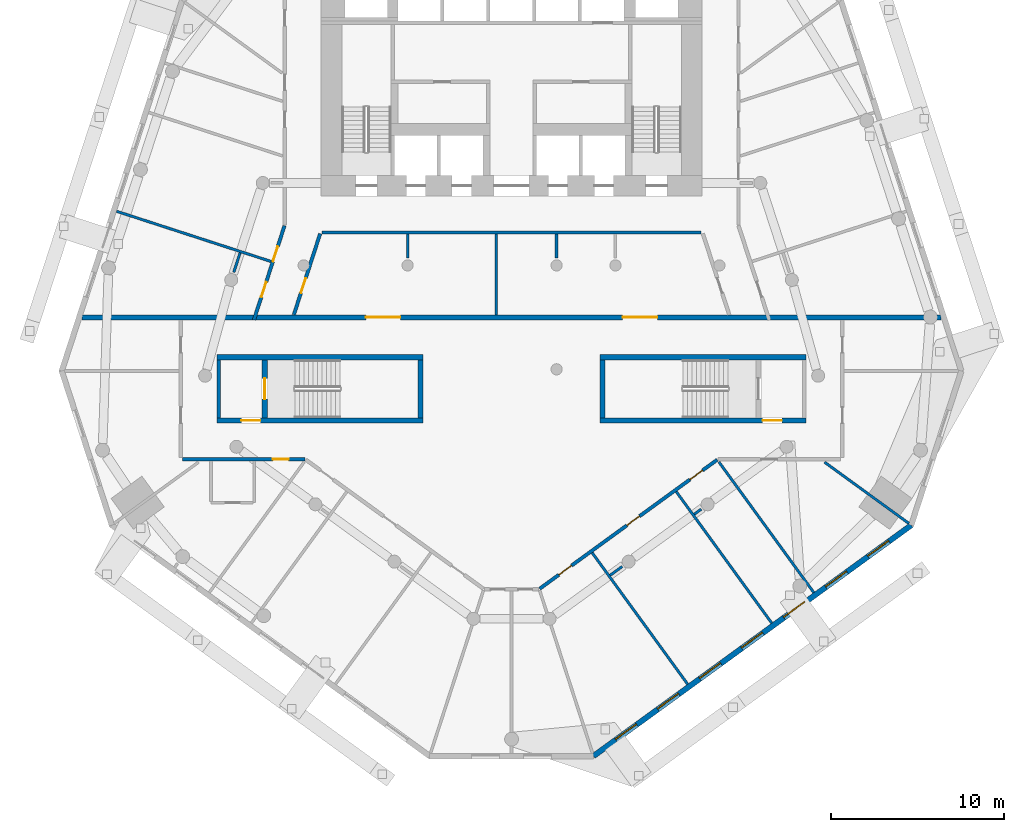
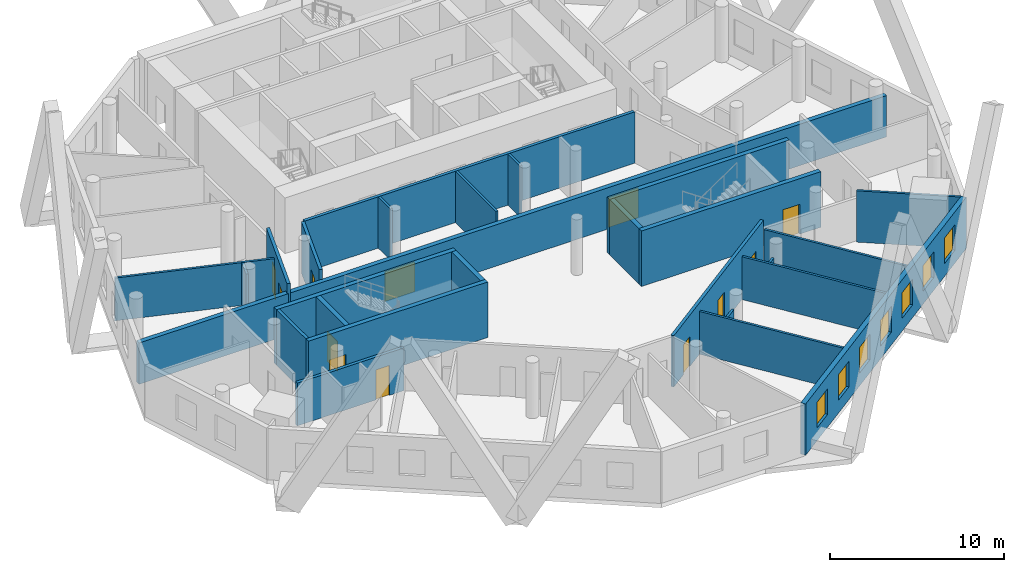
# One storey, part 4 of 10: 26 walls, 12 doors, 7 windows, 19 openings.
"""IFC4 building model written with IfcOpenShell, lengths in metres."""

from ifc_helpers import new_model, si_unit, direction, frame, frame_2d, origin, place, context, subcontext, project, spatial, rectangle, extrude, material, layer, layer_set, type_object, element, fill, save


model = new_model("IFC4")

# Units and contexts
model_context = context("Model", 3, precision=1e-05, world=origin(), true_north=direction((0.0, 1.0)))
body_context = subcontext(model_context, "Body", "Model", "MODEL_VIEW")
ifc_project = project(units=[si_unit("LENGTHUNIT", "METRE"), si_unit("AREAUNIT", "SQUARE_METRE"), si_unit("VOLUMEUNIT", "CUBIC_METRE"), si_unit("PLANEANGLEUNIT", "RADIAN"), si_unit("MASSUNIT", "GRAM", prefix="KILO")], contexts=[model_context])

# Site, building, storey
site_placement = place(None, origin())
site = spatial("IfcSite", under=ifc_project, at=site_placement, CompositionType="ELEMENT")
building_placement = place(site_placement, origin())
building = spatial("IfcBuilding", under=site, at=building_placement, Name="White Candle Pilgrim Tower", CompositionType="ELEMENT")
storey_placement = place(building_placement, frame((0.0, 0.0, 66.300048828125)))
storey = spatial("IfcBuildingStorey", under=building, at=storey_placement, Name="L13", CompositionType="ELEMENT", Elevation=66.300048828125)

# Wall
ifc_material_1 = material(Name="Concrete C70/85", Category="concrete")
ifc_layer_1 = layer(ifc_material_1, 0.199951171875)
ifc_layer_set_1 = layer_set([ifc_layer_1], Name="Core wall 200 mm Concrete C70/85")
wall_type_1 = type_object("IfcWallType", Name="Core wall 200 mm Concrete C70/85", PredefinedType="SHEAR", material=ifc_layer_set_1)
wall_1_placement = place(storey_placement, frame((53.10009765625, 58.199951171875, 0.0), z_axis=(0.0, 0.0, 1.0), x_axis=(0.0, 1.0, 0.0)))
element("IfcWall", 1, at=wall_1_placement, inside=storey, type_object=wall_type_1, Name="WL-L13-C03", PredefinedType="SHEAR", context=body_context, shape_type="SweptSolid", body=[
    extrude(rectangle(XDim=3.35009765625, YDim=0.199951171875, at=frame_2d((1.675048828125, 0.0))), origin(), (0.0, 0.0, 1.0), 3.89990234375),
])

# Wall, openings, doors
ifc_material_2 = material(Name="Gypsum board on steel studs", Category="steel")
ifc_layer_2 = layer(ifc_material_2, 0.199951171875)
ifc_layer_set_2 = layer_set([ifc_layer_2], Name="Corridor wall 200 mm EI 45")
wall_type_2 = type_object("IfcWallType", Name="Corridor wall 200 mm EI 45", PredefinedType="PARTITIONING", material=ifc_layer_set_2)
wall_2_placement = place(storey_placement, frame((55.128173828125, 63.85009765625, 0.0), z_axis=(0.0, 0.0, 1.0), x_axis=(0.309006902183, 0.951059795388, 0.0)))
wall_2 = element("IfcWall", 2, at=wall_2_placement, inside=storey, type_object=wall_type_2, Name="WL-L13-P002", PredefinedType="PARTITIONING", context=body_context, shape_type="SweptSolid", body=[
    extrude(rectangle(XDim=5.7177734375, YDim=0.199951171875, at=frame_2d((2.85888671875, 0.0))), origin(), (0.0, 0.0, 1.0), 3.599853515625),
])
opening_1_placement = place(wall_2_placement, frame((1.3984375, 0.0, 0.0)))
opening_1 = element("IfcOpeningElement", 3, at=opening_1_placement, cuts=wall_2, Name="Opening T04-117", PredefinedType="OPENING", context=body_context, shape_type="SweptSolid", body=[
    extrude(rectangle(XDim=0.89990234375, YDim=2.10009765625, at=frame_2d((0.449951171875, 1.050048828125))), frame((0.0, 0.10986328125, 0.0), z_axis=(0.0, -1.0, 0.0), x_axis=(1.0, 0.0, 0.0)), (0.0, 0.0, 1.0), 0.219970703125),
])
opening_2_placement = place(wall_2_placement, frame((3.552490234375, 0.0, 0.0)))
opening_2 = element("IfcOpeningElement", 4, at=opening_2_placement, cuts=wall_2, Name="Opening T04-118", PredefinedType="OPENING", context=body_context, shape_type="SweptSolid", body=[
    extrude(rectangle(XDim=0.89990234375, YDim=2.10009765625, at=frame_2d((0.449951171875, 1.050048828125))), frame((0.0, 0.10986328125, 0.0), z_axis=(0.0, -1.0, 0.0), x_axis=(1.0, 0.0, 0.0)), (0.0, 0.0, 1.0), 0.219970703125),
])
ifc_material_3 = material(Name="Steel door leaf", Category="steel")
door_type_1 = type_object("IfcDoorType", Name="Fire door 900 x 2100 EI 30", OperationType="NOTDEFINED", PredefinedType="DOOR", material=ifc_material_3)
door_1_placement = place(opening_1_placement, origin())
door_1 = element("IfcDoor", 5, at=door_1_placement, inside=storey, type_object=door_type_1, Name="Door T04-117", OperationType="SINGLE_SWING_LEFT", OverallHeight=2.10009765625, OverallWidth=0.89990234375, PredefinedType="DOOR", context=body_context, shape_type="SweptSolid", body=[
    extrude(rectangle(XDim=0.89990234375, YDim=2.10009765625, at=frame_2d((0.449951171875, 1.050048828125))), frame((0.0, 0.02490234375, 0.0), z_axis=(0.0, -1.0, 0.0), x_axis=(1.0, 0.0, 0.0)), (0.0, 0.0, 1.0), 0.050048828125),
])
fill(opening_1, door_1)
door_2_placement = place(opening_2_placement, origin())
door_2 = element("IfcDoor", 6, at=door_2_placement, inside=storey, type_object=door_type_1, Name="Door T04-118", OperationType="SINGLE_SWING_RIGHT", OverallHeight=2.10009765625, OverallWidth=0.89990234375, PredefinedType="DOOR", context=body_context, shape_type="SweptSolid", body=[
    extrude(rectangle(XDim=0.89990234375, YDim=2.10009765625, at=frame_2d((0.449951171875, 1.050048828125))), frame((0.0, 0.02490234375, 0.0), z_axis=(0.0, -1.0, 0.0), x_axis=(1.0, 0.0, 0.0)), (0.0, 0.0, 1.0), 0.050048828125),
])
fill(opening_2, door_2)

wall_3_placement = place(storey_placement, frame((81.87060546875, 55.781005859375, 0.0), z_axis=(0.0, 0.0, 1.0), x_axis=(-0.80902019439, -0.587780847825, 0.0)))
wall_3 = element("IfcWall", 7, at=wall_3_placement, inside=storey, type_object=wall_type_2, Name="WL-L13-P008", PredefinedType="PARTITIONING", context=body_context, shape_type="SweptSolid", body=[
    extrude(rectangle(XDim=12.667236328125, YDim=0.199951171875, at=frame_2d((6.33349609375, 0.0))), origin(), (0.0, 0.0, 1.0), 3.599853515625),
])
opening_3_placement = place(wall_3_placement, frame((10.396484375, 0.0, 0.0)))
opening_3 = element("IfcOpeningElement", 8, at=opening_3_placement, cuts=wall_3, Name="Opening T04-109", PredefinedType="OPENING", context=body_context, shape_type="SweptSolid", body=[
    extrude(rectangle(XDim=0.89990234375, YDim=2.10009765625, at=frame_2d((0.449951171875, 1.050048828125))), frame((0.0, 0.10986328125, 0.0), z_axis=(0.0, -1.0, 0.0), x_axis=(1.0, 0.0, 0.0)), (0.0, 0.0, 1.0), 0.219970703125),
])
opening_4_placement = place(wall_3_placement, frame((5.543701171875, 0.0, 0.0)))
opening_4 = element("IfcOpeningElement", 9, at=opening_4_placement, cuts=wall_3, Name="Opening T04-110", PredefinedType="OPENING", context=body_context, shape_type="SweptSolid", body=[
    extrude(rectangle(XDim=0.89990234375, YDim=2.10009765625, at=frame_2d((0.449951171875, 1.050048828125))), frame((0.0, 0.10986328125, 0.0), z_axis=(0.0, -1.0, 0.0), x_axis=(1.0, 0.0, 0.0)), (0.0, 0.0, 1.0), 0.219970703125),
])
opening_5_placement = place(wall_3_placement, frame((1.043701171875, 0.0, 0.0)))
opening_5 = element("IfcOpeningElement", 10, at=opening_5_placement, cuts=wall_3, Name="Opening T04-111", PredefinedType="OPENING", context=body_context, shape_type="SweptSolid", body=[
    extrude(rectangle(XDim=0.89990234375, YDim=2.10009765625, at=frame_2d((0.449951171875, 1.050048828125))), frame((0.0, 0.10986328125, 0.0), z_axis=(0.0, -1.0, 0.0), x_axis=(1.0, 0.0, 0.0)), (0.0, 0.0, 1.0), 0.219970703125),
])
door_3_placement = place(opening_3_placement, origin())
door_3 = element("IfcDoor", 11, at=door_3_placement, inside=storey, type_object=door_type_1, Name="Door T04-109", OperationType="SINGLE_SWING_LEFT", OverallHeight=2.10009765625, OverallWidth=0.89990234375, PredefinedType="DOOR", context=body_context, shape_type="SweptSolid", body=[
    extrude(rectangle(XDim=0.89990234375, YDim=2.10009765625, at=frame_2d((0.449951171875, 1.050048828125))), frame((0.0, 0.02490234375, 0.0), z_axis=(0.0, -1.0, 0.0), x_axis=(1.0, 0.0, 0.0)), (0.0, 0.0, 1.0), 0.050048828125),
])
fill(opening_3, door_3)
door_4_placement = place(opening_4_placement, origin())
door_4 = element("IfcDoor", 12, at=door_4_placement, inside=storey, type_object=door_type_1, Name="Door T04-110", OperationType="SINGLE_SWING_RIGHT", OverallHeight=2.10009765625, OverallWidth=0.89990234375, PredefinedType="DOOR", context=body_context, shape_type="SweptSolid", body=[
    extrude(rectangle(XDim=0.89990234375, YDim=2.10009765625, at=frame_2d((0.449951171875, 1.050048828125))), frame((0.0, 0.02490234375, 0.0), z_axis=(0.0, -1.0, 0.0), x_axis=(1.0, 0.0, 0.0)), (0.0, 0.0, 1.0), 0.050048828125),
])
fill(opening_4, door_4)
door_5_placement = place(opening_5_placement, origin())
door_5 = element("IfcDoor", 13, at=door_5_placement, inside=storey, type_object=door_type_1, Name="Door T04-111", OperationType="SINGLE_SWING_LEFT", OverallHeight=2.10009765625, OverallWidth=0.89990234375, PredefinedType="DOOR", context=body_context, shape_type="SweptSolid", body=[
    extrude(rectangle(XDim=0.89990234375, YDim=2.10009765625, at=frame_2d((0.449951171875, 1.050048828125))), frame((0.0, 0.02490234375, 0.0), z_axis=(0.0, -1.0, 0.0), x_axis=(1.0, 0.0, 0.0)), (0.0, 0.0, 1.0), 0.050048828125),
])
fill(opening_5, door_5)

# Wall, opening, door
wall_4_placement = place(storey_placement, frame((58.07080078125, 55.800048828125, 0.0), z_axis=(0.0, 0.0, 1.0), x_axis=(-1.0, 0.0, 0.0)))
wall_4 = element("IfcWall", 14, at=wall_4_placement, inside=storey, type_object=wall_type_2, Name="WL-L13-P011", PredefinedType="PARTITIONING", context=body_context, shape_type="SweptSolid", body=[
    extrude(rectangle(XDim=7.07080078125, YDim=0.199951171875, at=frame_2d((3.535400390625, 0.0))), origin(), (0.0, 0.0, 1.0), 3.0),
])
opening_6_placement = place(wall_4_placement, frame((0.9443359375, 0.0, 0.0)))
opening_6 = element("IfcOpeningElement", 15, at=opening_6_placement, cuts=wall_4, Name="Opening T04-103", PredefinedType="OPENING", context=body_context, shape_type="SweptSolid", body=[
    extrude(rectangle(XDim=0.89990234375, YDim=2.10009765625, at=frame_2d((0.449951171875, 1.050048828125))), frame((0.0, 0.10986328125, 0.0), z_axis=(0.0, -1.0, 0.0), x_axis=(1.0, 0.0, 0.0)), (0.0, 0.0, 1.0), 0.219970703125),
])
door_6_placement = place(opening_6_placement, origin())
door_6 = element("IfcDoor", 16, at=door_6_placement, inside=storey, type_object=door_type_1, Name="Door T04-103", OperationType="SINGLE_SWING_LEFT", OverallHeight=2.10009765625, OverallWidth=0.89990234375, PredefinedType="DOOR", context=body_context, shape_type="SweptSolid", body=[
    extrude(rectangle(XDim=0.89990234375, YDim=2.10009765625, at=frame_2d((0.449951171875, 1.050048828125))), frame((0.0, 0.02490234375, 0.0), z_axis=(0.0, -1.0, 0.0), x_axis=(1.0, 0.0, 0.0)), (0.0, 0.0, 1.0), 0.050048828125),
])
fill(opening_6, door_6)

# Wall
wall_5_placement = place(storey_placement, frame((80.9501953125, 68.89990234375, 0.0), z_axis=(0.0, 0.0, 1.0), x_axis=(-1.0, 0.0, 0.0)))
element("IfcWall", 17, at=wall_5_placement, inside=storey, type_object=wall_type_2, Name="WL-L13-P013", PredefinedType="PARTITIONING", context=body_context, shape_type="SweptSolid", body=[
    extrude(rectangle(XDim=21.900390625, YDim=0.199951171875, at=frame_2d((10.9501953125, 0.0))), origin(), (0.0, 0.0, 1.0), 3.599853515625),
])

# Wall, opening, door
wall_6_placement = place(storey_placement, frame((58.95458984375, 68.830810546875, 0.0), z_axis=(0.0, 0.0, 1.0), x_axis=(-0.309031112369, -0.951051928965, 0.0)))
wall_6 = element("IfcWall", 18, at=wall_6_placement, inside=storey, type_object=wall_type_2, Name="WL-L13-P014", PredefinedType="PARTITIONING", context=body_context, shape_type="SweptSolid", body=[
    extrude(rectangle(XDim=4.921875, YDim=0.199951171875, at=frame_2d((2.4609375, 0.0))), origin(), (0.0, 0.0, 1.0), 3.599853515625),
])
opening_7_placement = place(wall_6_placement, frame((2.6982421875, 0.0, 0.0)))
opening_7 = element("IfcOpeningElement", 19, at=opening_7_placement, cuts=wall_6, Name="Opening T04-130", PredefinedType="OPENING", context=body_context, shape_type="SweptSolid", body=[
    extrude(rectangle(XDim=0.89990234375, YDim=2.10009765625, at=frame_2d((0.449951171875, 1.050048828125))), frame((0.0, 0.10986328125, 0.0), z_axis=(0.0, -1.0, 0.0), x_axis=(1.0, 0.0, 0.0)), (0.0, 0.0, 1.0), 0.219970703125),
])
door_7_placement = place(opening_7_placement, origin())
door_7 = element("IfcDoor", 20, at=door_7_placement, inside=storey, type_object=door_type_1, Name="Door T04-130", OperationType="SINGLE_SWING_RIGHT", OverallHeight=2.10009765625, OverallWidth=0.89990234375, PredefinedType="DOOR", context=body_context, shape_type="SweptSolid", body=[
    extrude(rectangle(XDim=0.89990234375, YDim=2.10009765625, at=frame_2d((0.449951171875, 1.050048828125))), frame((0.0, 0.02490234375, 0.0), z_axis=(0.0, -1.0, 0.0), x_axis=(1.0, 0.0, 0.0)), (0.0, 0.0, 1.0), 0.050048828125),
])
fill(opening_7, door_7)

# Wall, openings, windows
ifc_material_4 = material(Name="Precast concrete C40/50", Category="concrete")
ifc_layer_3 = layer(ifc_material_4, 0.320068359375)
ifc_layer_set_3 = layer_set([ifc_layer_3], Name="Facade wall EW1 precast concrete C40/50 pier wall with timber-lined reveals")
wall_type_3 = type_object("IfcWallType", Name="Facade wall EW1 precast concrete C40/50 pier wall with timber-lined reveals", PredefinedType="SOLIDWALL", material=ifc_layer_set_3)
wall_7_placement = place(storey_placement, frame((74.728515625, 38.67626953125, 0.0), z_axis=(0.0, 0.0, 1.0), x_axis=(0.809014870626, 0.58778817537, 0.0)))
wall_7 = element("IfcWall", 21, at=wall_7_placement, inside=storey, type_object=wall_type_3, Name="Facade wall L13 SE", PredefinedType="SOLIDWALL", context=body_context, shape_type="SweptSolid", body=[
    extrude(rectangle(XDim=22.67626953125, YDim=0.320068359375, at=frame_2d((11.338134765625, 0.0))), origin(), (0.0, 0.0, 1.0), 3.599853515625),
])
opening_8_placement = place(wall_7_placement, frame((1.588134765625, 0.0, 0.89990234375)))
opening_8 = element("IfcOpeningElement", 22, at=opening_8_placement, cuts=wall_7, Name="Opening W1", PredefinedType="OPENING", context=body_context, shape_type="SweptSolid", body=[
    extrude(rectangle(XDim=1.5, YDim=1.800048828125, at=frame_2d((0.75, 0.89990234375))), frame((0.0, 0.169921875, 0.0), z_axis=(0.0, -1.0, 0.0), x_axis=(1.0, 0.0, 0.0)), (0.0, 0.0, 1.0), 0.340087890625),
])
opening_9_placement = place(wall_7_placement, frame((4.588134765625, 0.0, 0.89990234375)))
opening_9 = element("IfcOpeningElement", 23, at=opening_9_placement, cuts=wall_7, Name="Opening W1", PredefinedType="OPENING", context=body_context, shape_type="SweptSolid", body=[
    extrude(rectangle(XDim=1.5, YDim=1.800048828125, at=frame_2d((0.75, 0.89990234375))), frame((0.0, 0.169921875, 0.0), z_axis=(0.0, -1.0, 0.0), x_axis=(1.0, 0.0, 0.0)), (0.0, 0.0, 1.0), 0.340087890625),
])
opening_10_placement = place(wall_7_placement, frame((7.588134765625, 0.0, 0.89990234375)))
opening_10 = element("IfcOpeningElement", 24, at=opening_10_placement, cuts=wall_7, Name="Opening W1", PredefinedType="OPENING", context=body_context, shape_type="SweptSolid", body=[
    extrude(rectangle(XDim=1.5, YDim=1.800048828125, at=frame_2d((0.75, 0.89990234375))), frame((0.0, 0.169921875, 0.0), z_axis=(0.0, -1.0, 0.0), x_axis=(1.0, 0.0, 0.0)), (0.0, 0.0, 1.0), 0.340087890625),
])
opening_11_placement = place(wall_7_placement, frame((10.588134765625, 0.0, 0.89990234375)))
opening_11 = element("IfcOpeningElement", 25, at=opening_11_placement, cuts=wall_7, Name="Opening W1", PredefinedType="OPENING", context=body_context, shape_type="SweptSolid", body=[
    extrude(rectangle(XDim=1.5, YDim=1.800048828125, at=frame_2d((0.75, 0.89990234375))), frame((0.0, 0.169921875, 0.0), z_axis=(0.0, -1.0, 0.0), x_axis=(1.0, 0.0, 0.0)), (0.0, 0.0, 1.0), 0.340087890625),
])
opening_12_placement = place(wall_7_placement, frame((13.588134765625, 0.0, 0.89990234375)))
opening_12 = element("IfcOpeningElement", 26, at=opening_12_placement, cuts=wall_7, Name="Opening W1", PredefinedType="OPENING", context=body_context, shape_type="SweptSolid", body=[
    extrude(rectangle(XDim=1.5, YDim=1.800048828125, at=frame_2d((0.75, 0.89990234375))), frame((0.0, 0.169921875, 0.0), z_axis=(0.0, -1.0, 0.0), x_axis=(1.0, 0.0, 0.0)), (0.0, 0.0, 1.0), 0.340087890625),
])
opening_13_placement = place(wall_7_placement, frame((16.588134765625, 0.0, 0.89990234375)))
opening_13 = element("IfcOpeningElement", 27, at=opening_13_placement, cuts=wall_7, Name="Opening W1", PredefinedType="OPENING", context=body_context, shape_type="SweptSolid", body=[
    extrude(rectangle(XDim=1.5, YDim=1.800048828125, at=frame_2d((0.75, 0.89990234375))), frame((0.0, 0.169921875, 0.0), z_axis=(0.0, -1.0, 0.0), x_axis=(1.0, 0.0, 0.0)), (0.0, 0.0, 1.0), 0.340087890625),
])
opening_14_placement = place(wall_7_placement, frame((19.588134765625, 0.0, 0.89990234375)))
opening_14 = element("IfcOpeningElement", 28, at=opening_14_placement, cuts=wall_7, Name="Opening W1", PredefinedType="OPENING", context=body_context, shape_type="SweptSolid", body=[
    extrude(rectangle(XDim=1.5, YDim=1.800048828125, at=frame_2d((0.75, 0.89990234375))), frame((0.0, 0.169921875, 0.0), z_axis=(0.0, -1.0, 0.0), x_axis=(1.0, 0.0, 0.0)), (0.0, 0.0, 1.0), 0.340087890625),
])
ifc_material_5 = material(Name="Timber frame with triple glazing", Category="wood")
window_type = type_object("IfcWindowType", Name="Window W1 1500x1800 timber frame triple glazing", PartitioningType="SINGLE_PANEL", PredefinedType="WINDOW", material=ifc_material_5)
window_1_placement = place(opening_8_placement, origin())
window_1 = element("IfcWindow", 29, at=window_1_placement, inside=storey, type_object=window_type, Name="Window W1 L13 SE 1", OverallHeight=1.800048828125, OverallWidth=1.5, PartitioningType="SINGLE_PANEL", PredefinedType="WINDOW", context=body_context, shape_type="SweptSolid", body=[
    extrude(rectangle(XDim=1.5, YDim=1.800048828125, at=frame_2d((0.75, 0.89990234375))), frame((0.0, 0.070068359375, 0.0), z_axis=(0.0, -1.0, 0.0), x_axis=(1.0, 0.0, 0.0)), (0.0, 0.0, 1.0), 0.06005859375),
])
fill(opening_8, window_1)
window_2_placement = place(opening_9_placement, origin())
window_2 = element("IfcWindow", 30, at=window_2_placement, inside=storey, type_object=window_type, Name="Window W1 L13 SE 2", OverallHeight=1.800048828125, OverallWidth=1.5, PartitioningType="SINGLE_PANEL", PredefinedType="WINDOW", context=body_context, shape_type="SweptSolid", body=[
    extrude(rectangle(XDim=1.5, YDim=1.800048828125, at=frame_2d((0.75, 0.89990234375))), frame((0.0, 0.070068359375, 0.0), z_axis=(0.0, -1.0, 0.0), x_axis=(1.0, 0.0, 0.0)), (0.0, 0.0, 1.0), 0.06005859375),
])
fill(opening_9, window_2)
window_3_placement = place(opening_10_placement, origin())
window_3 = element("IfcWindow", 31, at=window_3_placement, inside=storey, type_object=window_type, Name="Window W1 L13 SE 3", OverallHeight=1.800048828125, OverallWidth=1.5, PartitioningType="SINGLE_PANEL", PredefinedType="WINDOW", context=body_context, shape_type="SweptSolid", body=[
    extrude(rectangle(XDim=1.5, YDim=1.800048828125, at=frame_2d((0.75, 0.89990234375))), frame((0.0, 0.070068359375, 0.0), z_axis=(0.0, -1.0, 0.0), x_axis=(1.0, 0.0, 0.0)), (0.0, 0.0, 1.0), 0.06005859375),
])
fill(opening_10, window_3)
window_4_placement = place(opening_11_placement, origin())
window_4 = element("IfcWindow", 32, at=window_4_placement, inside=storey, type_object=window_type, Name="Window W1 L13 SE 4", OverallHeight=1.800048828125, OverallWidth=1.5, PartitioningType="SINGLE_PANEL", PredefinedType="WINDOW", context=body_context, shape_type="SweptSolid", body=[
    extrude(rectangle(XDim=1.5, YDim=1.800048828125, at=frame_2d((0.75, 0.89990234375))), frame((0.0, 0.070068359375, 0.0), z_axis=(0.0, -1.0, 0.0), x_axis=(1.0, 0.0, 0.0)), (0.0, 0.0, 1.0), 0.06005859375),
])
fill(opening_11, window_4)
window_5_placement = place(opening_12_placement, origin())
window_5 = element("IfcWindow", 33, at=window_5_placement, inside=storey, type_object=window_type, Name="Window W1 L13 SE 5", OverallHeight=1.800048828125, OverallWidth=1.5, PartitioningType="SINGLE_PANEL", PredefinedType="WINDOW", context=body_context, shape_type="SweptSolid", body=[
    extrude(rectangle(XDim=1.5, YDim=1.800048828125, at=frame_2d((0.75, 0.89990234375))), frame((0.0, 0.070068359375, 0.0), z_axis=(0.0, -1.0, 0.0), x_axis=(1.0, 0.0, 0.0)), (0.0, 0.0, 1.0), 0.06005859375),
])
fill(opening_12, window_5)
window_6_placement = place(opening_13_placement, origin())
window_6 = element("IfcWindow", 34, at=window_6_placement, inside=storey, type_object=window_type, Name="Window W1 L13 SE 6", OverallHeight=1.800048828125, OverallWidth=1.5, PartitioningType="SINGLE_PANEL", PredefinedType="WINDOW", context=body_context, shape_type="SweptSolid", body=[
    extrude(rectangle(XDim=1.5, YDim=1.800048828125, at=frame_2d((0.75, 0.89990234375))), frame((0.0, 0.070068359375, 0.0), z_axis=(0.0, -1.0, 0.0), x_axis=(1.0, 0.0, 0.0)), (0.0, 0.0, 1.0), 0.06005859375),
])
fill(opening_13, window_6)
window_7_placement = place(opening_14_placement, origin())
window_7 = element("IfcWindow", 35, at=window_7_placement, inside=storey, type_object=window_type, Name="Window W1 L13 SE 7", OverallHeight=1.800048828125, OverallWidth=1.5, PartitioningType="SINGLE_PANEL", PredefinedType="WINDOW", context=body_context, shape_type="SweptSolid", body=[
    extrude(rectangle(XDim=1.5, YDim=1.800048828125, at=frame_2d((0.75, 0.89990234375))), frame((0.0, 0.070068359375, 0.0), z_axis=(0.0, -1.0, 0.0), x_axis=(1.0, 0.0, 0.0)), (0.0, 0.0, 1.0), 0.06005859375),
])
fill(opening_14, window_7)

# Wall, openings, doors
ifc_material_6 = material(Name="Aerated concrete block", Category="concrete")
ifc_layer_4 = layer(ifc_material_6, 0.300048828125)
ifc_layer_set_4 = layer_set([ifc_layer_4], Name="Fire wall 300 mm REI 240")
wall_type_4 = type_object("IfcWallType", Name="Fire wall 300 mm REI 240", PredefinedType="PARTITIONING", material=ifc_layer_set_4)
wall_8_placement = place(storey_placement, frame((45.208984375, 64.0, 0.0), z_axis=(0.0, 0.0, 1.0), x_axis=(1.0, 0.0, 0.0)))
wall_8 = element("IfcWall", 36, at=wall_8_placement, inside=storey, type_object=wall_type_4, Name="WL-L13-P001", PredefinedType="PARTITIONING", context=body_context, shape_type="SweptSolid", body=[
    extrude(rectangle(XDim=49.58203125, YDim=0.300048828125, at=frame_2d((24.791015625, 0.0))), origin(), (0.0, 0.0, 1.0), 2.89990234375),
])
opening_15_placement = place(wall_8_placement, frame((16.37939453125, 0.0, 0.0)))
opening_15 = element("IfcOpeningElement", 37, at=opening_15_placement, cuts=wall_8, Name="Opening T04-114", PredefinedType="OPENING", context=body_context, shape_type="SweptSolid", body=[
    extrude(rectangle(XDim=2.0, YDim=2.10009765625, at=frame_2d((1.0, 1.050048828125))), frame((0.0, 0.159912109375, 0.0), z_axis=(0.0, -1.0, 0.0), x_axis=(1.0, 0.0, 0.0)), (0.0, 0.0, 1.0), 0.320068359375),
])
opening_16_placement = place(wall_8_placement, frame((31.20263671875, 0.0, 0.0)))
opening_16 = element("IfcOpeningElement", 38, at=opening_16_placement, cuts=wall_8, Name="Opening T04-115", PredefinedType="OPENING", context=body_context, shape_type="SweptSolid", body=[
    extrude(rectangle(XDim=2.0, YDim=2.10009765625, at=frame_2d((1.0, 1.050048828125))), frame((0.0, 0.159912109375, 0.0), z_axis=(0.0, -1.0, 0.0), x_axis=(1.0, 0.0, 0.0)), (0.0, 0.0, 1.0), 0.320068359375),
])
door_type_2 = type_object("IfcDoorType", Name="Fire door 2000 x 2100 EI 60", OperationType="NOTDEFINED", PredefinedType="DOOR", material=ifc_material_3)
door_8_placement = place(opening_15_placement, origin())
door_8 = element("IfcDoor", 39, at=door_8_placement, inside=storey, type_object=door_type_2, Name="Door T04-114", OperationType="DOUBLE_DOOR_SINGLE_SWING", OverallHeight=2.10009765625, OverallWidth=2.0, PredefinedType="DOOR", context=body_context, shape_type="SweptSolid", body=[
    extrude(rectangle(XDim=2.0, YDim=2.10009765625, at=frame_2d((1.0, 1.050048828125))), frame((0.0, 0.02490234375, 0.0), z_axis=(0.0, -1.0, 0.0), x_axis=(1.0, 0.0, 0.0)), (0.0, 0.0, 1.0), 0.050048828125),
])
fill(opening_15, door_8)
door_9_placement = place(opening_16_placement, origin())
door_9 = element("IfcDoor", 40, at=door_9_placement, inside=storey, type_object=door_type_2, Name="Door T04-115", OperationType="DOUBLE_DOOR_SINGLE_SWING", OverallHeight=2.10009765625, OverallWidth=2.0, PredefinedType="DOOR", context=body_context, shape_type="SweptSolid", body=[
    extrude(rectangle(XDim=2.0, YDim=2.10009765625, at=frame_2d((1.0, 1.050048828125))), frame((0.0, 0.02490234375, 0.0), z_axis=(0.0, -1.0, 0.0), x_axis=(1.0, 0.0, 0.0)), (0.0, 0.0, 1.0), 0.050048828125),
])
fill(opening_16, door_9)

# Walls
ifc_layer_5 = layer(ifc_material_2, 0.14990234375)
ifc_layer_set_5 = layer_set([ifc_layer_5], Name="Partition 150 mm EI 60")
wall_type_5 = type_object("IfcWallType", Name="Partition 150 mm EI 60", PredefinedType="PARTITIONING", material=ifc_layer_set_5)
wall_9_placement = place(storey_placement, frame((92.93798828125, 52.10400390625, 0.0), z_axis=(0.0, 0.0, 1.0), x_axis=(-0.809025596287, 0.587773412594, 0.0)))
element("IfcWall", 41, at=wall_9_placement, inside=storey, type_object=wall_type_5, Name="WL-L13-P021", PredefinedType="PARTITIONING", context=body_context, shape_type="SweptSolid", body=[
    extrude(rectangle(XDim=6.014892578125, YDim=0.14990234375, at=frame_2d((3.00732421875, 0.0))), origin(), (0.0, 0.0, 1.0), 3.599853515625),
])
for number, where, z_axis, x_axis, name in (
    (42, (47.198974609375, 70.124267578125, 0.0), (0.0, 0.0, 1.0), (0.951060843481, -0.309003676349, 0.0), "WL-L13-P026"),
    (43, (80.166748046875, 42.8251953125, 0.0), (0.0, 0.0, 1.0), (-0.587795561305, 0.809009504339, 0.0), "WL-L13-P034"),
    (44, (85.020751953125, 46.351806640625, 0.0), (0.0, 0.0, 1.0), (-0.587795561305, 0.809009504339, 0.0), "WL-L13-P035"),
):
    element("IfcWall", number, at=place(storey_placement, frame(where, z_axis=z_axis, x_axis=x_axis)), inside=storey, type_object=wall_type_5, Name=name, PredefinedType="PARTITIONING", context=body_context, shape_type="SweptSolid", body=[
        extrude(rectangle(XDim=9.3798828125, YDim=0.14990234375, at=frame_2d((4.68994140625, 0.0))), origin(), (0.0, 0.0, 1.0), 3.0),
    ])
wall_10_placement = place(storey_placement, frame((87.44775390625, 48.114990234375, 0.0), z_axis=(0.0, 0.0, 1.0), x_axis=(-0.587777613272, 0.809022544393, 0.0)))
element("IfcWall", 45, at=wall_10_placement, inside=storey, type_object=wall_type_5, Name="WL-L13-P036", PredefinedType="PARTITIONING", context=body_context, shape_type="SweptSolid", body=[
    extrude(rectangle(XDim=9.321044921875, YDim=0.14990234375, at=frame_2d((4.66064453125, 0.0))), origin(), (0.0, 0.0, 1.0), 3.0),
])
wall_11_placement = place(storey_placement, frame((69.12158203125, 64.14990234375, 0.0), z_axis=(0.0, 0.0, 1.0), x_axis=(0.0, 1.0, 0.0)))
element("IfcWall", 46, at=wall_11_placement, inside=storey, type_object=wall_type_5, Name="WL-L13-P041", PredefinedType="PARTITIONING", context=body_context, shape_type="SweptSolid", body=[
    extrude(rectangle(XDim=4.650146484375, YDim=0.14990234375, at=frame_2d((2.3251953125, 0.0))), origin(), (0.0, 0.0, 1.0), 3.599853515625),
])
wall_12_placement = place(storey_placement, frame((76.389404296875, 49.619140625, 0.0), z_axis=(0.0, 0.0, 1.0), x_axis=(-0.809041900019, -0.587750971087, 0.0)))
element("IfcWall", 47, at=wall_12_placement, inside=storey, type_object=wall_type_5, Name="WL-L13-P045", PredefinedType="PARTITIONING", context=body_context, shape_type="SweptSolid", body=[
    extrude(rectangle(XDim=0.86279296875, YDim=0.14990234375, at=frame_2d((0.431396484375, 0.0))), origin(), (0.0, 0.0, 1.0), 3.0),
])
wall_13_placement = place(storey_placement, frame((80.949462890625, 52.92919921875, 0.0), z_axis=(0.0, 0.0, 1.0), x_axis=(-0.809096851656, -0.587675322471, 0.0)))
element("IfcWall", 48, at=wall_13_placement, inside=storey, type_object=wall_type_5, Name="WL-L13-P046", PredefinedType="PARTITIONING", context=body_context, shape_type="SweptSolid", body=[
    extrude(rectangle(XDim=0.497314453125, YDim=0.14990234375, at=frame_2d((0.24853515625, 0.0))), origin(), (0.0, 0.0, 1.0), 3.0),
])
wall_14_placement = place(storey_placement, frame((53.967041015625, 66.60107421875, 0.0), z_axis=(0.0, 0.0, 1.0), x_axis=(0.308983531668, 0.951067388337, 0.0)))
element("IfcWall", 49, at=wall_14_placement, inside=storey, type_object=wall_type_5, Name="WL-L13-P050", PredefinedType="PARTITIONING", context=body_context, shape_type="SweptSolid", body=[
    extrude(rectangle(XDim=1.184326171875, YDim=0.14990234375, at=frame_2d((0.59228515625, 0.0))), origin(), (0.0, 0.0, 1.0), 3.0),
])
for number, where, z_axis, x_axis, name in (
    (50, (63.997802734375, 67.4150390625, 0.0), (0.0, 0.0, 1.0), (0.0, 1.0, 0.0), "WL-L13-P051"),
    (51, (72.59765625, 67.4150390625, 0.0), (0.0, 0.0, 1.0), (0.0, 1.0, 0.0), "WL-L13-P052"),
):
    element("IfcWall", number, at=place(storey_placement, frame(where, z_axis=z_axis, x_axis=x_axis)), inside=storey, type_object=wall_type_5, Name=name, PredefinedType="PARTITIONING", context=body_context, shape_type="SweptSolid", body=[
        extrude(rectangle(XDim=1.385009765625, YDim=0.14990234375, at=frame_2d((0.6923828125, 0.0))), origin(), (0.0, 0.0, 1.0), 3.599853515625),
    ])

# Wall, opening, door
ifc_layer_6 = layer(ifc_material_1, 0.300048828125)
ifc_layer_set_6 = layer_set([ifc_layer_6], Name="Stair shaft wall 300 mm Concrete C70/85")
wall_type_6 = type_object("IfcWallType", Name="Stair shaft wall 300 mm Concrete C70/85", PredefinedType="SHEAR", material=ifc_layer_set_6)
wall_15_placement = place(storey_placement, frame((53.0, 58.050048828125, 0.0), z_axis=(0.0, 0.0, 1.0), x_axis=(1.0, 0.0, 0.0)))
wall_15 = element("IfcWall", 52, at=wall_15_placement, inside=storey, type_object=wall_type_6, Name="WL-L13-C01", PredefinedType="SHEAR", context=body_context, shape_type="SweptSolid", body=[
    extrude(rectangle(XDim=11.89990234375, YDim=0.300048828125, at=frame_2d((5.949951171875, 0.0))), origin(), (0.0, 0.0, 1.0), 3.89990234375),
])
opening_17_placement = place(wall_15_placement, frame((1.39990234375, 0.0, 0.0)))
opening_17 = element("IfcOpeningElement", 53, at=opening_17_placement, cuts=wall_15, Name="Opening T04-007", PredefinedType="OPENING", context=body_context, shape_type="SweptSolid", body=[
    extrude(rectangle(XDim=1.10009765625, YDim=2.10009765625, at=frame_2d((0.550048828125, 1.050048828125))), frame((0.0, 0.159912109375, 0.0), z_axis=(0.0, -1.0, 0.0), x_axis=(1.0, 0.0, 0.0)), (0.0, 0.0, 1.0), 0.320068359375),
])
door_type_3 = type_object("IfcDoorType", Name="Fire door 1100 x 2100 EI 60", OperationType="NOTDEFINED", PredefinedType="DOOR", material=ifc_material_3)
door_10_placement = place(opening_17_placement, origin())
door_10 = element("IfcDoor", 54, at=door_10_placement, inside=storey, type_object=door_type_3, Name="Door T04-007", OperationType="SINGLE_SWING_LEFT", OverallHeight=2.10009765625, OverallWidth=1.10009765625, PredefinedType="DOOR", context=body_context, shape_type="SweptSolid", body=[
    extrude(rectangle(XDim=1.10009765625, YDim=2.10009765625, at=frame_2d((0.550048828125, 1.050048828125))), frame((0.0, 0.02490234375, 0.0), z_axis=(0.0, -1.0, 0.0), x_axis=(1.0, 0.0, 0.0)), (0.0, 0.0, 1.0), 0.050048828125),
])
fill(opening_17, door_10)

wall_16_placement = place(storey_placement, frame((75.10009765625, 58.050048828125, 0.0), z_axis=(0.0, 0.0, 1.0), x_axis=(1.0, 0.0, 0.0)))
wall_16 = element("IfcWall", 55, at=wall_16_placement, inside=storey, type_object=wall_type_6, Name="WL-L13-C02", PredefinedType="SHEAR", context=body_context, shape_type="SweptSolid", body=[
    extrude(rectangle(XDim=11.89990234375, YDim=0.300048828125, at=frame_2d((5.949951171875, 0.0))), origin(), (0.0, 0.0, 1.0), 3.89990234375),
])
opening_18_placement = place(wall_16_placement, frame((9.39990234375, 0.0, 0.0)))
opening_18 = element("IfcOpeningElement", 56, at=opening_18_placement, cuts=wall_16, Name="Opening T04-009", PredefinedType="OPENING", context=body_context, shape_type="SweptSolid", body=[
    extrude(rectangle(XDim=1.10009765625, YDim=2.10009765625, at=frame_2d((0.550048828125, 1.050048828125))), frame((0.0, 0.159912109375, 0.0), z_axis=(0.0, -1.0, 0.0), x_axis=(1.0, 0.0, 0.0)), (0.0, 0.0, 1.0), 0.320068359375),
])
door_11_placement = place(opening_18_placement, origin())
door_11 = element("IfcDoor", 57, at=door_11_placement, inside=storey, type_object=door_type_3, Name="Door T04-009", OperationType="SINGLE_SWING_LEFT", OverallHeight=2.10009765625, OverallWidth=1.10009765625, PredefinedType="DOOR", context=body_context, shape_type="SweptSolid", body=[
    extrude(rectangle(XDim=1.10009765625, YDim=2.10009765625, at=frame_2d((0.550048828125, 1.050048828125))), frame((0.0, 0.02490234375, 0.0), z_axis=(0.0, -1.0, 0.0), x_axis=(1.0, 0.0, 0.0)), (0.0, 0.0, 1.0), 0.050048828125),
])
fill(opening_18, door_11)

wall_17_placement = place(storey_placement, frame((55.75, 58.199951171875, 0.0), z_axis=(0.0, 0.0, 1.0), x_axis=(0.0, 1.0, 0.0)))
wall_17 = element("IfcWall", 58, at=wall_17_placement, inside=storey, type_object=wall_type_6, Name="WL-L13-C04", PredefinedType="SHEAR", context=body_context, shape_type="SweptSolid", body=[
    extrude(rectangle(XDim=3.35009765625, YDim=0.300048828125, at=frame_2d((1.675048828125, 0.0))), origin(), (0.0, 0.0, 1.0), 3.89990234375),
])
opening_19_placement = place(wall_17_placement, frame((1.074951171875, 0.0, 0.0)))
opening_19 = element("IfcOpeningElement", 59, at=opening_19_placement, cuts=wall_17, Name="Opening T04-008", PredefinedType="OPENING", context=body_context, shape_type="SweptSolid", body=[
    extrude(rectangle(XDim=1.199951171875, YDim=2.10009765625, at=frame_2d((0.60009765625, 1.050048828125))), frame((0.0, 0.159912109375, 0.0), z_axis=(0.0, -1.0, 0.0), x_axis=(1.0, 0.0, 0.0)), (0.0, 0.0, 1.0), 0.320068359375),
])
door_type_4 = type_object("IfcDoorType", Name="Fire door 1200 x 2100 EI 60", OperationType="NOTDEFINED", PredefinedType="DOOR", material=ifc_material_3)
door_12_placement = place(opening_19_placement, frame((1.199951171875, 0.0, 0.0), z_axis=(0.0, 0.0, 1.0), x_axis=(-1.0, 0.0, 0.0)))
door_12 = element("IfcDoor", 60, at=door_12_placement, inside=storey, type_object=door_type_4, Name="Door T04-008", OperationType="SINGLE_SWING_LEFT", OverallHeight=2.10009765625, OverallWidth=1.199951171875, PredefinedType="DOOR", context=body_context, shape_type="SweptSolid", body=[
    extrude(rectangle(XDim=1.199951171875, YDim=2.10009765625, at=frame_2d((0.60009765625, 1.050048828125))), frame((0.0, 0.02490234375, 0.0), z_axis=(0.0, -1.0, 0.0), x_axis=(1.0, 0.0, 0.0)), (0.0, 0.0, 1.0), 0.050048828125),
])
fill(opening_19, door_12)

# Walls
for number, where, z_axis, x_axis, name in (
    (61, (64.75, 58.199951171875, 0.0), (0.0, 0.0, 1.0), (0.0, 1.0, 0.0), "WL-L13-C05"),
    (62, (75.25, 58.199951171875, 0.0), (0.0, 0.0, 1.0), (0.0, 1.0, 0.0), "WL-L13-C06"),
):
    element("IfcWall", number, at=place(storey_placement, frame(where, z_axis=z_axis, x_axis=x_axis)), inside=storey, type_object=wall_type_6, Name=name, PredefinedType="SHEAR", context=body_context, shape_type="SweptSolid", body=[
        extrude(rectangle(XDim=3.35009765625, YDim=0.300048828125, at=frame_2d((1.675048828125, 0.0))), origin(), (0.0, 0.0, 1.0), 3.89990234375),
    ])
for number, where, z_axis, x_axis, name in (
    (63, (53.0, 61.699951171875, 0.0), (0.0, 0.0, 1.0), (1.0, 0.0, 0.0), "WL-L13-C09"),
    (64, (75.10009765625, 61.699951171875, 0.0), (0.0, 0.0, 1.0), (1.0, 0.0, 0.0), "WL-L13-C10"),
):
    element("IfcWall", number, at=place(storey_placement, frame(where, z_axis=z_axis, x_axis=x_axis)), inside=storey, type_object=wall_type_6, Name=name, PredefinedType="SHEAR", context=body_context, shape_type="SweptSolid", body=[
        extrude(rectangle(XDim=11.89990234375, YDim=0.300048828125, at=frame_2d((5.949951171875, 0.0))), origin(), (0.0, 0.0, 1.0), 3.89990234375),
    ])

save(model, "model.ifc")
